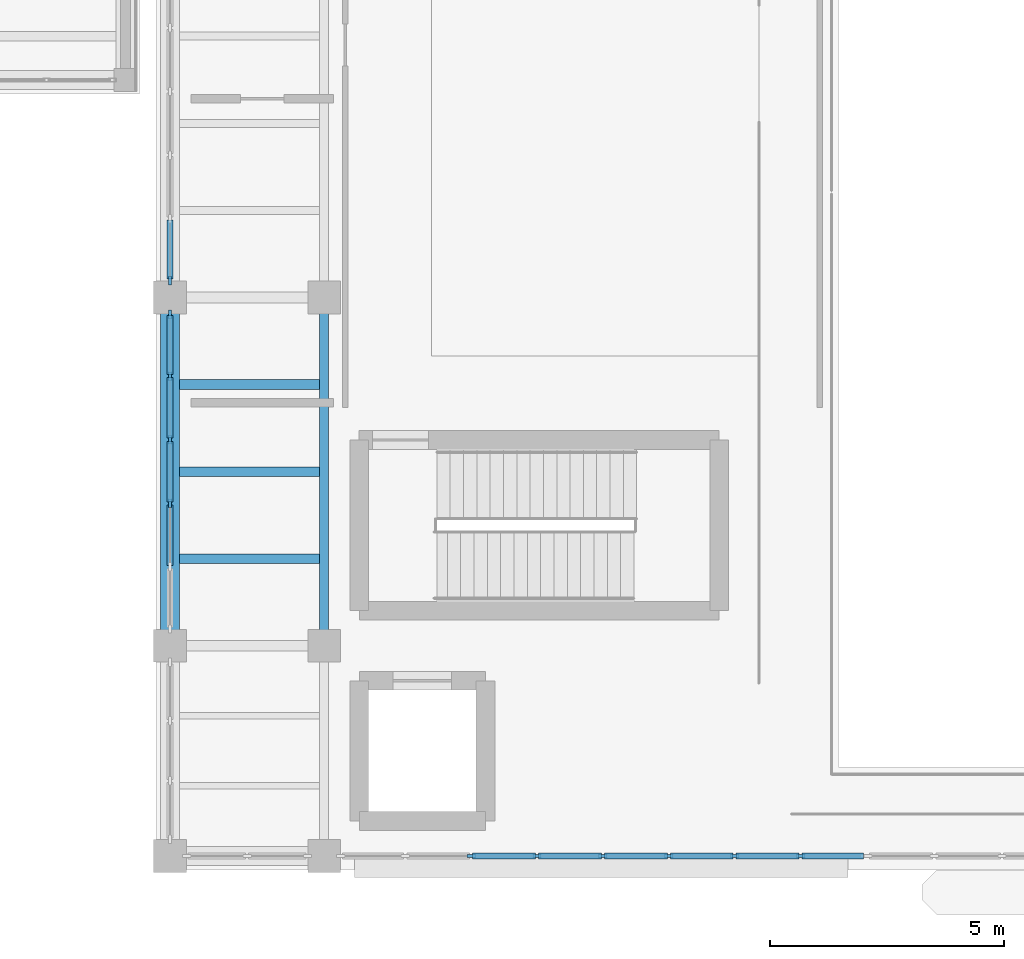
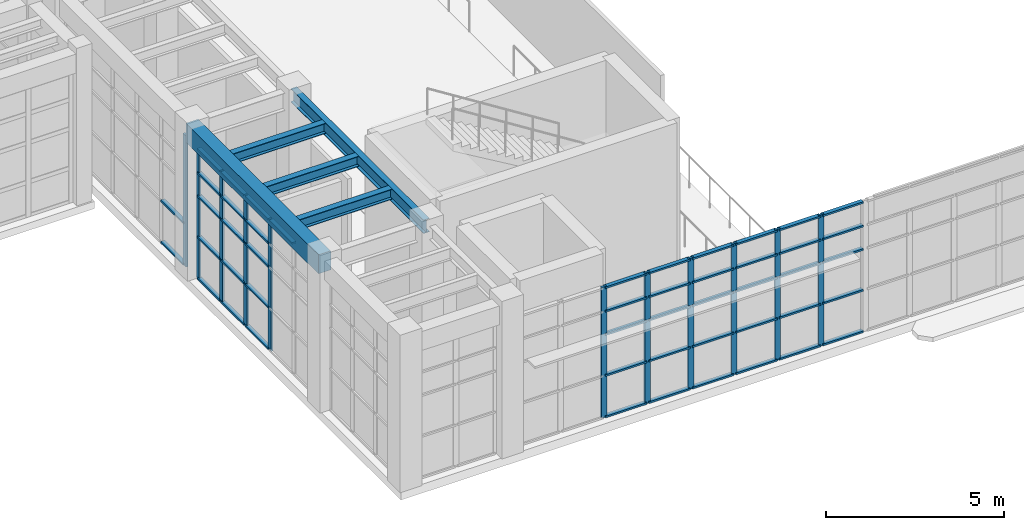
# One storey, part 34 of 103: 59 members, 5 beams, 3 elements without a shape of their own.
"""IFC4 building model written with IfcOpenShell, lengths in metres."""

from ifc_helpers import new_model, si_unit, direction, frame, origin, origin_2d, place, context, subcontext, project, spatial, rectangle, i_section, extrude, material, layer, layer_set, material_profile, profile_set, type_object, element, aggregate, save


model = new_model("IFC4")

# Units and contexts
model_context = context("Model", 3, precision=1e-05, world=origin(), true_north=direction((0.0, 1.0)))
body_context = subcontext(model_context, "Body", "Model", "MODEL_VIEW")
ifc_project = project(units=[si_unit("LENGTHUNIT", "METRE"), si_unit("AREAUNIT", "SQUARE_METRE"), si_unit("VOLUMEUNIT", "CUBIC_METRE"), si_unit("PLANEANGLEUNIT", "RADIAN"), si_unit("MASSUNIT", "GRAM", prefix="KILO")], contexts=[model_context])

# Site, building, storey
site_placement = place(None, origin())
site = spatial("IfcSite", under=ifc_project, at=site_placement, CompositionType="ELEMENT")
building_placement = place(site_placement, origin())
building = spatial("IfcBuilding", under=site, at=building_placement, Name="Candilejo Ridge Gondola Terminal", CompositionType="ELEMENT")
storey_placement = place(building_placement, frame((0.0, 0.0, 9.0)))
storey = spatial("IfcBuildingStorey", under=building, at=storey_placement, Name="L02", CompositionType="ELEMENT", Elevation=9.0)

# Curtain wall, members
ifc_material_1 = material(Name="Anodised aluminium AA 6063-T6", Category="aluminium")
ifc_layer_1 = layer(ifc_material_1, 0.169921875)
ifc_layer_set_1 = layer_set([ifc_layer_1], Name="ARC-CW-HALL-3800-680X449")
curtain_wall_type_1 = type_object("IfcCurtainWallType", Name="ARC-CW-HALL-3800-680X449", PredefinedType="NOTDEFINED", material=ifc_layer_set_1)
curtain_wall_1_placement = place(storey_placement, origin())
curtain_wall_1 = element("IfcCurtainWall", 1, at=curtain_wall_1_placement, inside=storey, type_object=curtain_wall_type_1, Name="Curtain wall V4 L02-134", PredefinedType="NOTDEFINED")
ifc_material_2 = material(Name="Anodised aluminium AA 6063-T6", Category="aluminium")
ifc_material_profile_1 = material_profile(ifc_material_2, rectangle(XDim=0.06494140625, YDim=0.179931640625, at=origin_2d()))
ifc_profile_set_1 = profile_set([ifc_material_profile_1], Name="Anodised aluminium AA 6063-T6")
member_type_1 = type_object("IfcMemberType", Name="ARC-CW-MULLION-180", PredefinedType="MULLION", material=ifc_profile_set_1)
member_1_placement = place(storey_placement, frame((133.89990234375, 13.844970703125, 0.0), z_axis=(0.0, 0.0, 1.0), x_axis=(-1.0, 0.0, 0.0)))
member_1 = element("IfcMember", 2, at=member_1_placement, type_object=member_type_1, Name="CW-68X44 mullion 3", PredefinedType="MULLION", context=body_context, shape_type="SweptSolid", body=[
    extrude(rectangle(XDim=0.06494140625, YDim=0.179931640625, at=origin_2d()), origin(), (0.0, 0.0, 1.0), 4.489990234375),
])
member_2_placement = place(storey_placement, frame((133.89990234375, 15.205078125, 0.0), z_axis=(0.0, 0.0, 1.0), x_axis=(-1.0, 0.0, 0.0)))
member_2 = element("IfcMember", 3, at=member_2_placement, type_object=member_type_1, Name="CW-68X44 mullion 4", PredefinedType="MULLION", context=body_context, shape_type="SweptSolid", body=[
    extrude(rectangle(XDim=0.06494140625, YDim=0.179931640625, at=origin_2d()), origin(), (0.0, 0.0, 1.0), 4.489990234375),
])
member_3_placement = place(storey_placement, frame((133.89990234375, 16.56494140625, 0.0), z_axis=(0.0, 0.0, 1.0), x_axis=(-1.0, 0.0, 0.0)))
member_3 = element("IfcMember", 4, at=member_3_placement, type_object=member_type_1, Name="CW-68X44 mullion 5", PredefinedType="MULLION", context=body_context, shape_type="SweptSolid", body=[
    extrude(rectangle(XDim=0.06494140625, YDim=0.179931640625, at=origin_2d()), origin(), (0.0, 0.0, 1.0), 4.489990234375),
])
member_4_placement = place(storey_placement, frame((133.89990234375, 17.892578125, 0.0), z_axis=(0.0, 0.0, 1.0), x_axis=(-1.0, 0.0, 0.0)))
member_4 = element("IfcMember", 5, at=member_4_placement, type_object=member_type_1, Name="CW-68X44 mullion 6", PredefinedType="MULLION", context=body_context, shape_type="SweptSolid", body=[
    extrude(rectangle(XDim=0.06494140625, YDim=0.179931640625, at=origin_2d()), origin(), (0.0, 0.0, 1.0), 4.489990234375),
])

# Curtain wall, member
curtain_wall_2_placement = place(storey_placement, origin())
curtain_wall_2 = element("IfcCurtainWall", 6, at=curtain_wall_2_placement, inside=storey, type_object=curtain_wall_type_1, Name="Curtain wall V4 L02-135", PredefinedType="NOTDEFINED")
member_5_placement = place(storey_placement, frame((133.89990234375, 18.607421875, 0.0), z_axis=(0.0, 0.0, 1.0), x_axis=(-1.0, 0.0, 0.0)))
member_5 = element("IfcMember", 7, at=member_5_placement, type_object=member_type_1, Name="CW-68X44 mullion 1", PredefinedType="MULLION", context=body_context, shape_type="SweptSolid", body=[
    extrude(rectangle(XDim=0.06494140625, YDim=0.179931640625, at=origin_2d()), origin(), (0.0, 0.0, 1.0), 4.489990234375),
])

# Curtain wall, members
ifc_material_3 = material(Name="Anodised aluminium AA 6063-T6", Category="aluminium")
ifc_layer_2 = layer(ifc_material_3, 0.169921875)
ifc_layer_set_2 = layer_set([ifc_layer_2], Name="ARC-CW-HALL-3800-1128X449")
curtain_wall_type_2 = type_object("IfcCurtainWallType", Name="ARC-CW-HALL-3800-1128X449", PredefinedType="NOTDEFINED", material=ifc_layer_set_2)
curtain_wall_3_placement = place(storey_placement, origin())
curtain_wall_3 = element("IfcCurtainWall", 8, at=curtain_wall_3_placement, inside=storey, type_object=curtain_wall_type_2, Name="Curtain wall V4 L02-146", PredefinedType="NOTDEFINED")
member_6_placement = place(storey_placement, frame((140.34375, 6.300048828125, 0.0), z_axis=(0.0, 0.0, 1.0), x_axis=(0.0, 1.0, 0.0)))
member_6 = element("IfcMember", 9, at=member_6_placement, type_object=member_type_1, Name="CW-112X44 mullion 3", PredefinedType="MULLION", context=body_context, shape_type="SweptSolid", body=[
    extrude(rectangle(XDim=0.06494140625, YDim=0.179931640625, at=origin_2d()), origin(), (0.0, 0.0, 1.0), 4.489990234375),
])
member_7_placement = place(storey_placement, frame((141.753173828125, 6.300048828125, 0.0), z_axis=(0.0, 0.0, 1.0), x_axis=(0.0, 1.0, 0.0)))
member_7 = element("IfcMember", 10, at=member_7_placement, type_object=member_type_1, Name="CW-112X44 mullion 4", PredefinedType="MULLION", context=body_context, shape_type="SweptSolid", body=[
    extrude(rectangle(XDim=0.06494140625, YDim=0.179931640625, at=origin_2d()), origin(), (0.0, 0.0, 1.0), 4.489990234375),
])
member_8_placement = place(storey_placement, frame((143.16259765625, 6.300048828125, 0.0), z_axis=(0.0, 0.0, 1.0), x_axis=(0.0, 1.0, 0.0)))
member_8 = element("IfcMember", 11, at=member_8_placement, type_object=member_type_1, Name="CW-112X44 mullion 5", PredefinedType="MULLION", context=body_context, shape_type="SweptSolid", body=[
    extrude(rectangle(XDim=0.06494140625, YDim=0.179931640625, at=origin_2d()), origin(), (0.0, 0.0, 1.0), 4.489990234375),
])
member_9_placement = place(storey_placement, frame((144.57177734375, 6.300048828125, 0.0), z_axis=(0.0, 0.0, 1.0), x_axis=(0.0, 1.0, 0.0)))
member_9 = element("IfcMember", 12, at=member_9_placement, type_object=member_type_1, Name="CW-112X44 mullion 6", PredefinedType="MULLION", context=body_context, shape_type="SweptSolid", body=[
    extrude(rectangle(XDim=0.06494140625, YDim=0.179931640625, at=origin_2d()), origin(), (0.0, 0.0, 1.0), 4.489990234375),
])
member_10_placement = place(storey_placement, frame((145.981201171875, 6.300048828125, 0.0), z_axis=(0.0, 0.0, 1.0), x_axis=(0.0, 1.0, 0.0)))
member_10 = element("IfcMember", 13, at=member_10_placement, type_object=member_type_1, Name="CW-112X44 mullion 7", PredefinedType="MULLION", context=body_context, shape_type="SweptSolid", body=[
    extrude(rectangle(XDim=0.06494140625, YDim=0.179931640625, at=origin_2d()), origin(), (0.0, 0.0, 1.0), 4.489990234375),
])
member_11_placement = place(storey_placement, frame((147.390625, 6.300048828125, 0.0), z_axis=(0.0, 0.0, 1.0), x_axis=(0.0, 1.0, 0.0)))
member_11 = element("IfcMember", 14, at=member_11_placement, type_object=member_type_1, Name="CW-112X44 mullion 8", PredefinedType="MULLION", context=body_context, shape_type="SweptSolid", body=[
    extrude(rectangle(XDim=0.06494140625, YDim=0.179931640625, at=origin_2d()), origin(), (0.0, 0.0, 1.0), 4.489990234375),
])

# Member
ifc_material_4 = material(Name="Anodised aluminium AA 6063-T6", Category="aluminium")
ifc_material_profile_2 = material_profile(ifc_material_4, rectangle(XDim=0.1298828125, YDim=0.06005859375, at=origin_2d()))
ifc_profile_set_2 = profile_set([ifc_material_profile_2], Name="Anodised aluminium AA 6063-T6")
member_type_2 = type_object("IfcMemberType", Name="ARC-CW-TRANSOM-130", PredefinedType="USERDEFINED", material=ifc_profile_set_2)
member_12_placement = place(storey_placement, frame((133.89990234375, 12.517578125, 4.4599609375), z_axis=(0.0, 1.0, 0.0), x_axis=(-1.0, 0.0, 0.0)))
member_12 = element("IfcMember", 15, at=member_12_placement, type_object=member_type_2, Name="CW-68X44 transom 2.5", ObjectType="TRANSOM", PredefinedType="USERDEFINED", context=body_context, shape_type="SweptSolid", body=[
    extrude(rectangle(XDim=0.1298828125, YDim=0.06005859375, at=origin_2d()), origin(), (0.0, 0.0, 1.0), 1.294921875),
])

member_13_placement = place(storey_placement, frame((133.89990234375, 13.87744140625, 0.030029296875), z_axis=(0.0, 1.0, 0.0), x_axis=(-1.0, 0.0, 0.0)))
member_13 = element("IfcMember", 16, at=member_13_placement, type_object=member_type_2, Name="CW-68X44 transom 3.1", ObjectType="TRANSOM", PredefinedType="USERDEFINED", context=body_context, shape_type="SweptSolid", body=[
    extrude(rectangle(XDim=0.1298828125, YDim=0.06005859375, at=origin_2d()), origin(), (0.0, 0.0, 1.0), 1.295166015625),
])

member_14_placement = place(storey_placement, frame((133.89990234375, 13.87744140625, 1.449951171875), z_axis=(0.0, 1.0, 0.0), x_axis=(-1.0, 0.0, 0.0)))
member_14 = element("IfcMember", 17, at=member_14_placement, type_object=member_type_2, Name="CW-68X44 transom 3.2", ObjectType="TRANSOM", PredefinedType="USERDEFINED", context=body_context, shape_type="SweptSolid", body=[
    extrude(rectangle(XDim=0.1298828125, YDim=0.06005859375, at=origin_2d()), origin(), (0.0, 0.0, 1.0), 1.295166015625),
])

member_15_placement = place(storey_placement, frame((133.89990234375, 13.87744140625, 2.85009765625), z_axis=(0.0, 1.0, 0.0), x_axis=(-1.0, 0.0, 0.0)))
member_15 = element("IfcMember", 18, at=member_15_placement, type_object=member_type_2, Name="CW-68X44 transom 3.3", ObjectType="TRANSOM", PredefinedType="USERDEFINED", context=body_context, shape_type="SweptSolid", body=[
    extrude(rectangle(XDim=0.1298828125, YDim=0.06005859375, at=origin_2d()), origin(), (0.0, 0.0, 1.0), 1.295166015625),
])

member_16_placement = place(storey_placement, frame((133.89990234375, 13.87744140625, 3.64990234375), z_axis=(0.0, 1.0, 0.0), x_axis=(-1.0, 0.0, 0.0)))
member_16 = element("IfcMember", 19, at=member_16_placement, type_object=member_type_2, Name="CW-68X44 transom 3.4", ObjectType="TRANSOM", PredefinedType="USERDEFINED", context=body_context, shape_type="SweptSolid", body=[
    extrude(rectangle(XDim=0.1298828125, YDim=0.06005859375, at=origin_2d()), origin(), (0.0, 0.0, 1.0), 1.295166015625),
])

member_17_placement = place(storey_placement, frame((133.89990234375, 13.87744140625, 4.4599609375), z_axis=(0.0, 1.0, 0.0), x_axis=(-1.0, 0.0, 0.0)))
member_17 = element("IfcMember", 20, at=member_17_placement, type_object=member_type_2, Name="CW-68X44 transom 3.5", ObjectType="TRANSOM", PredefinedType="USERDEFINED", context=body_context, shape_type="SweptSolid", body=[
    extrude(rectangle(XDim=0.1298828125, YDim=0.06005859375, at=origin_2d()), origin(), (0.0, 0.0, 1.0), 1.295166015625),
])

member_18_placement = place(storey_placement, frame((133.89990234375, 15.237548828125, 0.030029296875), z_axis=(0.0, 1.0, 0.0), x_axis=(-1.0, 0.0, 0.0)))
member_18 = element("IfcMember", 21, at=member_18_placement, type_object=member_type_2, Name="CW-68X44 transom 4.1", ObjectType="TRANSOM", PredefinedType="USERDEFINED", context=body_context, shape_type="SweptSolid", body=[
    extrude(rectangle(XDim=0.1298828125, YDim=0.06005859375, at=origin_2d()), origin(), (0.0, 0.0, 1.0), 1.294921875),
])

member_19_placement = place(storey_placement, frame((133.89990234375, 15.237548828125, 1.449951171875), z_axis=(0.0, 1.0, 0.0), x_axis=(-1.0, 0.0, 0.0)))
member_19 = element("IfcMember", 22, at=member_19_placement, type_object=member_type_2, Name="CW-68X44 transom 4.2", ObjectType="TRANSOM", PredefinedType="USERDEFINED", context=body_context, shape_type="SweptSolid", body=[
    extrude(rectangle(XDim=0.1298828125, YDim=0.06005859375, at=origin_2d()), origin(), (0.0, 0.0, 1.0), 1.294921875),
])

member_20_placement = place(storey_placement, frame((133.89990234375, 15.237548828125, 2.85009765625), z_axis=(0.0, 1.0, 0.0), x_axis=(-1.0, 0.0, 0.0)))
member_20 = element("IfcMember", 23, at=member_20_placement, type_object=member_type_2, Name="CW-68X44 transom 4.3", ObjectType="TRANSOM", PredefinedType="USERDEFINED", context=body_context, shape_type="SweptSolid", body=[
    extrude(rectangle(XDim=0.1298828125, YDim=0.06005859375, at=origin_2d()), origin(), (0.0, 0.0, 1.0), 1.294921875),
])

member_21_placement = place(storey_placement, frame((133.89990234375, 15.237548828125, 3.64990234375), z_axis=(0.0, 1.0, 0.0), x_axis=(-1.0, 0.0, 0.0)))
member_21 = element("IfcMember", 24, at=member_21_placement, type_object=member_type_2, Name="CW-68X44 transom 4.4", ObjectType="TRANSOM", PredefinedType="USERDEFINED", context=body_context, shape_type="SweptSolid", body=[
    extrude(rectangle(XDim=0.1298828125, YDim=0.06005859375, at=origin_2d()), origin(), (0.0, 0.0, 1.0), 1.294921875),
])

member_22_placement = place(storey_placement, frame((133.89990234375, 15.237548828125, 4.4599609375), z_axis=(0.0, 1.0, 0.0), x_axis=(-1.0, 0.0, 0.0)))
member_22 = element("IfcMember", 25, at=member_22_placement, type_object=member_type_2, Name="CW-68X44 transom 4.5", ObjectType="TRANSOM", PredefinedType="USERDEFINED", context=body_context, shape_type="SweptSolid", body=[
    extrude(rectangle(XDim=0.1298828125, YDim=0.06005859375, at=origin_2d()), origin(), (0.0, 0.0, 1.0), 1.294921875),
])

member_23_placement = place(storey_placement, frame((133.89990234375, 16.597412109375, 0.030029296875), z_axis=(0.0, 1.0, 0.0), x_axis=(-1.0, 0.0, 0.0)))
member_23 = element("IfcMember", 26, at=member_23_placement, type_object=member_type_2, Name="CW-68X44 transom 5.1", ObjectType="TRANSOM", PredefinedType="USERDEFINED", context=body_context, shape_type="SweptSolid", body=[
    extrude(rectangle(XDim=0.1298828125, YDim=0.06005859375, at=origin_2d()), origin(), (0.0, 0.0, 1.0), 1.2626953125),
])

member_24_placement = place(storey_placement, frame((133.89990234375, 16.597412109375, 1.449951171875), z_axis=(0.0, 1.0, 0.0), x_axis=(-1.0, 0.0, 0.0)))
member_24 = element("IfcMember", 27, at=member_24_placement, type_object=member_type_2, Name="CW-68X44 transom 5.2", ObjectType="TRANSOM", PredefinedType="USERDEFINED", context=body_context, shape_type="SweptSolid", body=[
    extrude(rectangle(XDim=0.1298828125, YDim=0.06005859375, at=origin_2d()), origin(), (0.0, 0.0, 1.0), 1.2626953125),
])

member_25_placement = place(storey_placement, frame((133.89990234375, 16.597412109375, 2.85009765625), z_axis=(0.0, 1.0, 0.0), x_axis=(-1.0, 0.0, 0.0)))
member_25 = element("IfcMember", 28, at=member_25_placement, type_object=member_type_2, Name="CW-68X44 transom 5.3", ObjectType="TRANSOM", PredefinedType="USERDEFINED", context=body_context, shape_type="SweptSolid", body=[
    extrude(rectangle(XDim=0.1298828125, YDim=0.06005859375, at=origin_2d()), origin(), (0.0, 0.0, 1.0), 1.2626953125),
])

member_26_placement = place(storey_placement, frame((133.89990234375, 16.597412109375, 3.64990234375), z_axis=(0.0, 1.0, 0.0), x_axis=(-1.0, 0.0, 0.0)))
member_26 = element("IfcMember", 29, at=member_26_placement, type_object=member_type_2, Name="CW-68X44 transom 5.4", ObjectType="TRANSOM", PredefinedType="USERDEFINED", context=body_context, shape_type="SweptSolid", body=[
    extrude(rectangle(XDim=0.1298828125, YDim=0.06005859375, at=origin_2d()), origin(), (0.0, 0.0, 1.0), 1.2626953125),
])

member_27_placement = place(storey_placement, frame((133.89990234375, 16.597412109375, 4.4599609375), z_axis=(0.0, 1.0, 0.0), x_axis=(-1.0, 0.0, 0.0)))
member_27 = element("IfcMember", 30, at=member_27_placement, type_object=member_type_2, Name="CW-68X44 transom 5.5", ObjectType="TRANSOM", PredefinedType="USERDEFINED", context=body_context, shape_type="SweptSolid", body=[
    extrude(rectangle(XDim=0.1298828125, YDim=0.06005859375, at=origin_2d()), origin(), (0.0, 0.0, 1.0), 1.2626953125),
])

aggregate(curtain_wall_1, [member_1, member_2, member_3, member_4, member_12, member_13, member_14, member_15, member_16, member_17, member_18, member_19, member_20, member_21, member_22, member_23, member_24, member_25, member_26, member_27])

member_28_placement = place(storey_placement, frame((133.89990234375, 18.639892578125, 0.030029296875), z_axis=(0.0, 1.0, 0.0), x_axis=(-1.0, 0.0, 0.0)))
member_28 = element("IfcMember", 31, at=member_28_placement, type_object=member_type_2, Name="CW-68X44 transom 1.1", ObjectType="TRANSOM", PredefinedType="USERDEFINED", context=body_context, shape_type="SweptSolid", body=[
    extrude(rectangle(XDim=0.1298828125, YDim=0.06005859375, at=origin_2d()), origin(), (0.0, 0.0, 1.0), 1.2626953125),
])

member_29_placement = place(storey_placement, frame((133.89990234375, 18.639892578125, 1.449951171875), z_axis=(0.0, 1.0, 0.0), x_axis=(-1.0, 0.0, 0.0)))
member_29 = element("IfcMember", 32, at=member_29_placement, type_object=member_type_2, Name="CW-68X44 transom 1.2", ObjectType="TRANSOM", PredefinedType="USERDEFINED", context=body_context, shape_type="SweptSolid", body=[
    extrude(rectangle(XDim=0.1298828125, YDim=0.06005859375, at=origin_2d()), origin(), (0.0, 0.0, 1.0), 1.2626953125),
])

aggregate(curtain_wall_2, [member_5, member_28, member_29])

member_30_placement = place(storey_placement, frame((140.376220703125, 6.300048828125, 0.030029296875), z_axis=(1.0, 0.0, 0.0), x_axis=(0.0, 1.0, 0.0)))
member_30 = element("IfcMember", 33, at=member_30_placement, type_object=member_type_2, Name="CW-112X44 transom 3.1", ObjectType="TRANSOM", PredefinedType="USERDEFINED", context=body_context, shape_type="SweptSolid", body=[
    extrude(rectangle(XDim=0.1298828125, YDim=0.06005859375, at=origin_2d()), origin(), (0.0, 0.0, 1.0), 1.344482421875),
])

member_31_placement = place(storey_placement, frame((140.376220703125, 6.300048828125, 1.449951171875), z_axis=(1.0, 0.0, 0.0), x_axis=(0.0, 1.0, 0.0)))
member_31 = element("IfcMember", 34, at=member_31_placement, type_object=member_type_2, Name="CW-112X44 transom 3.2", ObjectType="TRANSOM", PredefinedType="USERDEFINED", context=body_context, shape_type="SweptSolid", body=[
    extrude(rectangle(XDim=0.1298828125, YDim=0.06005859375, at=origin_2d()), origin(), (0.0, 0.0, 1.0), 1.344482421875),
])

member_32_placement = place(storey_placement, frame((140.376220703125, 6.300048828125, 2.85009765625), z_axis=(1.0, 0.0, 0.0), x_axis=(0.0, 1.0, 0.0)))
member_32 = element("IfcMember", 35, at=member_32_placement, type_object=member_type_2, Name="CW-112X44 transom 3.3", ObjectType="TRANSOM", PredefinedType="USERDEFINED", context=body_context, shape_type="SweptSolid", body=[
    extrude(rectangle(XDim=0.1298828125, YDim=0.06005859375, at=origin_2d()), origin(), (0.0, 0.0, 1.0), 1.344482421875),
])

member_33_placement = place(storey_placement, frame((140.376220703125, 6.300048828125, 3.64990234375), z_axis=(1.0, 0.0, 0.0), x_axis=(0.0, 1.0, 0.0)))
member_33 = element("IfcMember", 36, at=member_33_placement, type_object=member_type_2, Name="CW-112X44 transom 3.4", ObjectType="TRANSOM", PredefinedType="USERDEFINED", context=body_context, shape_type="SweptSolid", body=[
    extrude(rectangle(XDim=0.1298828125, YDim=0.06005859375, at=origin_2d()), origin(), (0.0, 0.0, 1.0), 1.344482421875),
])

member_34_placement = place(storey_placement, frame((140.376220703125, 6.300048828125, 4.4599609375), z_axis=(1.0, 0.0, 0.0), x_axis=(0.0, 1.0, 0.0)))
member_34 = element("IfcMember", 37, at=member_34_placement, type_object=member_type_2, Name="CW-112X44 transom 3.5", ObjectType="TRANSOM", PredefinedType="USERDEFINED", context=body_context, shape_type="SweptSolid", body=[
    extrude(rectangle(XDim=0.1298828125, YDim=0.06005859375, at=origin_2d()), origin(), (0.0, 0.0, 1.0), 1.344482421875),
])

member_35_placement = place(storey_placement, frame((141.78564453125, 6.300048828125, 0.030029296875), z_axis=(1.0, 0.0, 0.0), x_axis=(0.0, 1.0, 0.0)))
member_35 = element("IfcMember", 38, at=member_35_placement, type_object=member_type_2, Name="CW-112X44 transom 4.1", ObjectType="TRANSOM", PredefinedType="USERDEFINED", context=body_context, shape_type="SweptSolid", body=[
    extrude(rectangle(XDim=0.1298828125, YDim=0.06005859375, at=origin_2d()), origin(), (0.0, 0.0, 1.0), 1.34423828125),
])

member_36_placement = place(storey_placement, frame((141.78564453125, 6.300048828125, 1.449951171875), z_axis=(1.0, 0.0, 0.0), x_axis=(0.0, 1.0, 0.0)))
member_36 = element("IfcMember", 39, at=member_36_placement, type_object=member_type_2, Name="CW-112X44 transom 4.2", ObjectType="TRANSOM", PredefinedType="USERDEFINED", context=body_context, shape_type="SweptSolid", body=[
    extrude(rectangle(XDim=0.1298828125, YDim=0.06005859375, at=origin_2d()), origin(), (0.0, 0.0, 1.0), 1.34423828125),
])

member_37_placement = place(storey_placement, frame((141.78564453125, 6.300048828125, 2.85009765625), z_axis=(1.0, 0.0, 0.0), x_axis=(0.0, 1.0, 0.0)))
member_37 = element("IfcMember", 40, at=member_37_placement, type_object=member_type_2, Name="CW-112X44 transom 4.3", ObjectType="TRANSOM", PredefinedType="USERDEFINED", context=body_context, shape_type="SweptSolid", body=[
    extrude(rectangle(XDim=0.1298828125, YDim=0.06005859375, at=origin_2d()), origin(), (0.0, 0.0, 1.0), 1.34423828125),
])

member_38_placement = place(storey_placement, frame((141.78564453125, 6.300048828125, 3.64990234375), z_axis=(1.0, 0.0, 0.0), x_axis=(0.0, 1.0, 0.0)))
member_38 = element("IfcMember", 41, at=member_38_placement, type_object=member_type_2, Name="CW-112X44 transom 4.4", ObjectType="TRANSOM", PredefinedType="USERDEFINED", context=body_context, shape_type="SweptSolid", body=[
    extrude(rectangle(XDim=0.1298828125, YDim=0.06005859375, at=origin_2d()), origin(), (0.0, 0.0, 1.0), 1.34423828125),
])

member_39_placement = place(storey_placement, frame((141.78564453125, 6.300048828125, 4.4599609375), z_axis=(1.0, 0.0, 0.0), x_axis=(0.0, 1.0, 0.0)))
member_39 = element("IfcMember", 42, at=member_39_placement, type_object=member_type_2, Name="CW-112X44 transom 4.5", ObjectType="TRANSOM", PredefinedType="USERDEFINED", context=body_context, shape_type="SweptSolid", body=[
    extrude(rectangle(XDim=0.1298828125, YDim=0.06005859375, at=origin_2d()), origin(), (0.0, 0.0, 1.0), 1.34423828125),
])

member_40_placement = place(storey_placement, frame((143.195068359375, 6.300048828125, 0.030029296875), z_axis=(1.0, 0.0, 0.0), x_axis=(0.0, 1.0, 0.0)))
member_40 = element("IfcMember", 43, at=member_40_placement, type_object=member_type_2, Name="CW-112X44 transom 5.1", ObjectType="TRANSOM", PredefinedType="USERDEFINED", context=body_context, shape_type="SweptSolid", body=[
    extrude(rectangle(XDim=0.1298828125, YDim=0.06005859375, at=origin_2d()), origin(), (0.0, 0.0, 1.0), 1.34423828125),
])

member_41_placement = place(storey_placement, frame((143.195068359375, 6.300048828125, 1.449951171875), z_axis=(1.0, 0.0, 0.0), x_axis=(0.0, 1.0, 0.0)))
member_41 = element("IfcMember", 44, at=member_41_placement, type_object=member_type_2, Name="CW-112X44 transom 5.2", ObjectType="TRANSOM", PredefinedType="USERDEFINED", context=body_context, shape_type="SweptSolid", body=[
    extrude(rectangle(XDim=0.1298828125, YDim=0.06005859375, at=origin_2d()), origin(), (0.0, 0.0, 1.0), 1.34423828125),
])

member_42_placement = place(storey_placement, frame((143.195068359375, 6.300048828125, 2.85009765625), z_axis=(1.0, 0.0, 0.0), x_axis=(0.0, 1.0, 0.0)))
member_42 = element("IfcMember", 45, at=member_42_placement, type_object=member_type_2, Name="CW-112X44 transom 5.3", ObjectType="TRANSOM", PredefinedType="USERDEFINED", context=body_context, shape_type="SweptSolid", body=[
    extrude(rectangle(XDim=0.1298828125, YDim=0.06005859375, at=origin_2d()), origin(), (0.0, 0.0, 1.0), 1.34423828125),
])

member_43_placement = place(storey_placement, frame((143.195068359375, 6.300048828125, 3.64990234375), z_axis=(1.0, 0.0, 0.0), x_axis=(0.0, 1.0, 0.0)))
member_43 = element("IfcMember", 46, at=member_43_placement, type_object=member_type_2, Name="CW-112X44 transom 5.4", ObjectType="TRANSOM", PredefinedType="USERDEFINED", context=body_context, shape_type="SweptSolid", body=[
    extrude(rectangle(XDim=0.1298828125, YDim=0.06005859375, at=origin_2d()), origin(), (0.0, 0.0, 1.0), 1.34423828125),
])

member_44_placement = place(storey_placement, frame((143.195068359375, 6.300048828125, 4.4599609375), z_axis=(1.0, 0.0, 0.0), x_axis=(0.0, 1.0, 0.0)))
member_44 = element("IfcMember", 47, at=member_44_placement, type_object=member_type_2, Name="CW-112X44 transom 5.5", ObjectType="TRANSOM", PredefinedType="USERDEFINED", context=body_context, shape_type="SweptSolid", body=[
    extrude(rectangle(XDim=0.1298828125, YDim=0.06005859375, at=origin_2d()), origin(), (0.0, 0.0, 1.0), 1.34423828125),
])

member_45_placement = place(storey_placement, frame((144.6044921875, 6.300048828125, 0.030029296875), z_axis=(1.0, 0.0, 0.0), x_axis=(0.0, 1.0, 0.0)))
member_45 = element("IfcMember", 48, at=member_45_placement, type_object=member_type_2, Name="CW-112X44 transom 6.1", ObjectType="TRANSOM", PredefinedType="USERDEFINED", context=body_context, shape_type="SweptSolid", body=[
    extrude(rectangle(XDim=0.1298828125, YDim=0.06005859375, at=origin_2d()), origin(), (0.0, 0.0, 1.0), 1.34423828125),
])

member_46_placement = place(storey_placement, frame((144.6044921875, 6.300048828125, 1.449951171875), z_axis=(1.0, 0.0, 0.0), x_axis=(0.0, 1.0, 0.0)))
member_46 = element("IfcMember", 49, at=member_46_placement, type_object=member_type_2, Name="CW-112X44 transom 6.2", ObjectType="TRANSOM", PredefinedType="USERDEFINED", context=body_context, shape_type="SweptSolid", body=[
    extrude(rectangle(XDim=0.1298828125, YDim=0.06005859375, at=origin_2d()), origin(), (0.0, 0.0, 1.0), 1.34423828125),
])

member_47_placement = place(storey_placement, frame((144.6044921875, 6.300048828125, 2.85009765625), z_axis=(1.0, 0.0, 0.0), x_axis=(0.0, 1.0, 0.0)))
member_47 = element("IfcMember", 50, at=member_47_placement, type_object=member_type_2, Name="CW-112X44 transom 6.3", ObjectType="TRANSOM", PredefinedType="USERDEFINED", context=body_context, shape_type="SweptSolid", body=[
    extrude(rectangle(XDim=0.1298828125, YDim=0.06005859375, at=origin_2d()), origin(), (0.0, 0.0, 1.0), 1.34423828125),
])

member_48_placement = place(storey_placement, frame((144.6044921875, 6.300048828125, 3.64990234375), z_axis=(1.0, 0.0, 0.0), x_axis=(0.0, 1.0, 0.0)))
member_48 = element("IfcMember", 51, at=member_48_placement, type_object=member_type_2, Name="CW-112X44 transom 6.4", ObjectType="TRANSOM", PredefinedType="USERDEFINED", context=body_context, shape_type="SweptSolid", body=[
    extrude(rectangle(XDim=0.1298828125, YDim=0.06005859375, at=origin_2d()), origin(), (0.0, 0.0, 1.0), 1.34423828125),
])

member_49_placement = place(storey_placement, frame((144.6044921875, 6.300048828125, 4.4599609375), z_axis=(1.0, 0.0, 0.0), x_axis=(0.0, 1.0, 0.0)))
member_49 = element("IfcMember", 52, at=member_49_placement, type_object=member_type_2, Name="CW-112X44 transom 6.5", ObjectType="TRANSOM", PredefinedType="USERDEFINED", context=body_context, shape_type="SweptSolid", body=[
    extrude(rectangle(XDim=0.1298828125, YDim=0.06005859375, at=origin_2d()), origin(), (0.0, 0.0, 1.0), 1.34423828125),
])

member_50_placement = place(storey_placement, frame((146.013671875, 6.300048828125, 0.030029296875), z_axis=(1.0, 0.0, 0.0), x_axis=(0.0, 1.0, 0.0)))
member_50 = element("IfcMember", 53, at=member_50_placement, type_object=member_type_2, Name="CW-112X44 transom 7.1", ObjectType="TRANSOM", PredefinedType="USERDEFINED", context=body_context, shape_type="SweptSolid", body=[
    extrude(rectangle(XDim=0.1298828125, YDim=0.06005859375, at=origin_2d()), origin(), (0.0, 0.0, 1.0), 1.344482421875),
])

member_51_placement = place(storey_placement, frame((146.013671875, 6.300048828125, 1.449951171875), z_axis=(1.0, 0.0, 0.0), x_axis=(0.0, 1.0, 0.0)))
member_51 = element("IfcMember", 54, at=member_51_placement, type_object=member_type_2, Name="CW-112X44 transom 7.2", ObjectType="TRANSOM", PredefinedType="USERDEFINED", context=body_context, shape_type="SweptSolid", body=[
    extrude(rectangle(XDim=0.1298828125, YDim=0.06005859375, at=origin_2d()), origin(), (0.0, 0.0, 1.0), 1.344482421875),
])

member_52_placement = place(storey_placement, frame((146.013671875, 6.300048828125, 2.85009765625), z_axis=(1.0, 0.0, 0.0), x_axis=(0.0, 1.0, 0.0)))
member_52 = element("IfcMember", 55, at=member_52_placement, type_object=member_type_2, Name="CW-112X44 transom 7.3", ObjectType="TRANSOM", PredefinedType="USERDEFINED", context=body_context, shape_type="SweptSolid", body=[
    extrude(rectangle(XDim=0.1298828125, YDim=0.06005859375, at=origin_2d()), origin(), (0.0, 0.0, 1.0), 1.344482421875),
])

member_53_placement = place(storey_placement, frame((146.013671875, 6.300048828125, 3.64990234375), z_axis=(1.0, 0.0, 0.0), x_axis=(0.0, 1.0, 0.0)))
member_53 = element("IfcMember", 56, at=member_53_placement, type_object=member_type_2, Name="CW-112X44 transom 7.4", ObjectType="TRANSOM", PredefinedType="USERDEFINED", context=body_context, shape_type="SweptSolid", body=[
    extrude(rectangle(XDim=0.1298828125, YDim=0.06005859375, at=origin_2d()), origin(), (0.0, 0.0, 1.0), 1.344482421875),
])

member_54_placement = place(storey_placement, frame((146.013671875, 6.300048828125, 4.4599609375), z_axis=(1.0, 0.0, 0.0), x_axis=(0.0, 1.0, 0.0)))
member_54 = element("IfcMember", 57, at=member_54_placement, type_object=member_type_2, Name="CW-112X44 transom 7.5", ObjectType="TRANSOM", PredefinedType="USERDEFINED", context=body_context, shape_type="SweptSolid", body=[
    extrude(rectangle(XDim=0.1298828125, YDim=0.06005859375, at=origin_2d()), origin(), (0.0, 0.0, 1.0), 1.344482421875),
])

member_55_placement = place(storey_placement, frame((147.423095703125, 6.300048828125, 0.030029296875), z_axis=(1.0, 0.0, 0.0), x_axis=(0.0, 1.0, 0.0)))
member_55 = element("IfcMember", 58, at=member_55_placement, type_object=member_type_2, Name="CW-112X44 transom 8.1", ObjectType="TRANSOM", PredefinedType="USERDEFINED", context=body_context, shape_type="SweptSolid", body=[
    extrude(rectangle(XDim=0.1298828125, YDim=0.06005859375, at=origin_2d()), origin(), (0.0, 0.0, 1.0), 1.31201171875),
])

member_56_placement = place(storey_placement, frame((147.423095703125, 6.300048828125, 1.449951171875), z_axis=(1.0, 0.0, 0.0), x_axis=(0.0, 1.0, 0.0)))
member_56 = element("IfcMember", 59, at=member_56_placement, type_object=member_type_2, Name="CW-112X44 transom 8.2", ObjectType="TRANSOM", PredefinedType="USERDEFINED", context=body_context, shape_type="SweptSolid", body=[
    extrude(rectangle(XDim=0.1298828125, YDim=0.06005859375, at=origin_2d()), origin(), (0.0, 0.0, 1.0), 1.31201171875),
])

member_57_placement = place(storey_placement, frame((147.423095703125, 6.300048828125, 2.85009765625), z_axis=(1.0, 0.0, 0.0), x_axis=(0.0, 1.0, 0.0)))
member_57 = element("IfcMember", 60, at=member_57_placement, type_object=member_type_2, Name="CW-112X44 transom 8.3", ObjectType="TRANSOM", PredefinedType="USERDEFINED", context=body_context, shape_type="SweptSolid", body=[
    extrude(rectangle(XDim=0.1298828125, YDim=0.06005859375, at=origin_2d()), origin(), (0.0, 0.0, 1.0), 1.31201171875),
])

member_58_placement = place(storey_placement, frame((147.423095703125, 6.300048828125, 3.64990234375), z_axis=(1.0, 0.0, 0.0), x_axis=(0.0, 1.0, 0.0)))
member_58 = element("IfcMember", 61, at=member_58_placement, type_object=member_type_2, Name="CW-112X44 transom 8.4", ObjectType="TRANSOM", PredefinedType="USERDEFINED", context=body_context, shape_type="SweptSolid", body=[
    extrude(rectangle(XDim=0.1298828125, YDim=0.06005859375, at=origin_2d()), origin(), (0.0, 0.0, 1.0), 1.31201171875),
])

member_59_placement = place(storey_placement, frame((147.423095703125, 6.300048828125, 4.4599609375), z_axis=(1.0, 0.0, 0.0), x_axis=(0.0, 1.0, 0.0)))
member_59 = element("IfcMember", 62, at=member_59_placement, type_object=member_type_2, Name="CW-112X44 transom 8.5", ObjectType="TRANSOM", PredefinedType="USERDEFINED", context=body_context, shape_type="SweptSolid", body=[
    extrude(rectangle(XDim=0.1298828125, YDim=0.06005859375, at=origin_2d()), origin(), (0.0, 0.0, 1.0), 1.31201171875),
])

aggregate(curtain_wall_3, [member_6, member_7, member_8, member_9, member_10, member_11, member_30, member_31, member_32, member_33, member_34, member_35, member_36, member_37, member_38, member_39, member_40, member_41, member_42, member_43, member_44, member_45, member_46, member_47, member_48, member_49, member_50, member_51, member_52, member_53, member_54, member_55, member_56, member_57, member_58, member_59])

# Beams
ifc_material_5 = material(Name="Steel ASTM A992 Grade 50", Category="steel")
ifc_material_profile_3 = material_profile(ifc_material_5, i_section(OverallWidth=0.19189453125, OverallDepth=0.462890625, WebThickness=0.010498046875, FlangeThickness=0.017578125, at=origin_2d()))
ifc_profile_set_3 = profile_set([ifc_material_profile_3], Name="Steel ASTM A992 Grade 50")
beam_type_1 = type_object("IfcBeamType", Name="STR-BM-W460X89", PredefinedType="BEAM", material=ifc_profile_set_3)
beam_1_placement = place(storey_placement, frame((137.199951171875, 10.800048828125, 4.928466796875), z_axis=(0.0, 1.0, 0.0), x_axis=(-1.0, 0.0, 0.0)))
element("IfcBeam", 63, at=beam_1_placement, inside=storey, type_object=beam_type_1, Name="Beam Y V4 L02 Y02-Y03@X22", PredefinedType="BEAM", context=body_context, shape_type="SweptSolid", body=[
    extrude(i_section(OverallWidth=0.19189453125, OverallDepth=0.462890625, WebThickness=0.010498046875, FlangeThickness=0.017578125, at=origin_2d()), origin(), (0.0, 0.0, 1.0), 7.449951171875),
])
ifc_material_6 = material(Name="Steel ASTM A992 Grade 50", Category="steel")
ifc_material_profile_4 = material_profile(ifc_material_6, i_section(OverallWidth=0.205078125, OverallDepth=0.35400390625, WebThickness=0.009521484375, FlangeThickness=0.016845703125, at=origin_2d()))
ifc_profile_set_4 = profile_set([ifc_material_profile_4], Name="Steel ASTM A992 Grade 50")
beam_type_2 = type_object("IfcBeamType", Name="STR-JST-W360X79", PredefinedType="JOIST", material=ifc_profile_set_4)
for number, where, z_axis, x_axis, name in (
    (64, (134.10009765625, 12.66259765625, 4.98291015625), (1.0, 0.0, 0.0), (0.0, 1.0, 0.0), "Composite joist V4 L02-0969"),
    (65, (134.10009765625, 14.52490234375, 4.98291015625), (1.0, 0.0, 0.0), (0.0, 1.0, 0.0), "Composite joist V4 L02-0970"),
    (66, (134.10009765625, 16.387451171875, 4.98291015625), (1.0, 0.0, 0.0), (0.0, 1.0, 0.0), "Composite joist V4 L02-0971"),
):
    element("IfcBeam", number, at=place(storey_placement, frame(where, z_axis=z_axis, x_axis=x_axis)), inside=storey, type_object=beam_type_2, Name=name, PredefinedType="JOIST", context=body_context, shape_type="SweptSolid", body=[
        extrude(i_section(OverallWidth=0.205078125, OverallDepth=0.35400390625, WebThickness=0.009521484375, FlangeThickness=0.016845703125, at=origin_2d()), origin(), (0.0, 0.0, 1.0), 3.00390625),
    ])
ifc_material_7 = material(Name="Concrete f'c 35 MPa (C35/45)", Category="concrete")
ifc_material_profile_5 = material_profile(ifc_material_7, rectangle(XDim=0.39990234375, YDim=0.64990234375, at=origin_2d()))
ifc_profile_set_5 = profile_set([ifc_material_profile_5], Name="Concrete f'c 35 MPa (C35/45)")
beam_type_3 = type_object("IfcBeamType", Name="STR-SPN-RC400X650", PredefinedType="SPANDREL", material=ifc_profile_set_5)
beam_2_placement = place(storey_placement, frame((133.89990234375, 10.800048828125, 4.8349609375), z_axis=(0.0, 1.0, 0.0), x_axis=(-1.0, 0.0, 0.0)))
element("IfcBeam", 67, at=beam_2_placement, inside=storey, type_object=beam_type_3, Name="Beam Y V4 L02 Y02-Y03@X21", PredefinedType="SPANDREL", context=body_context, shape_type="SweptSolid", body=[
    extrude(rectangle(XDim=0.39990234375, YDim=0.64990234375, at=origin_2d()), origin(), (0.0, 0.0, 1.0), 7.449951171875),
])

save(model, "model.ifc")
